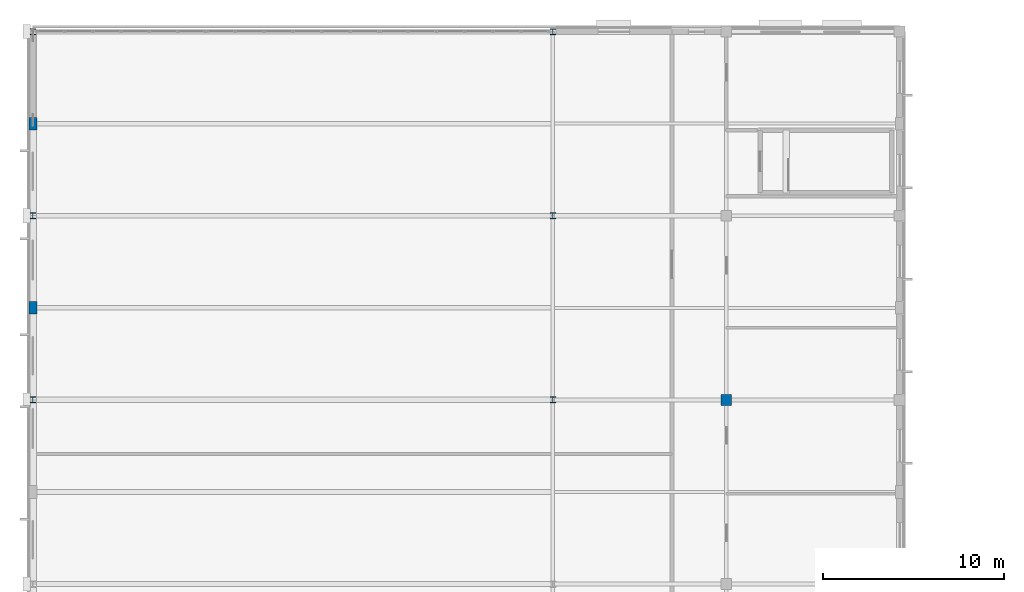
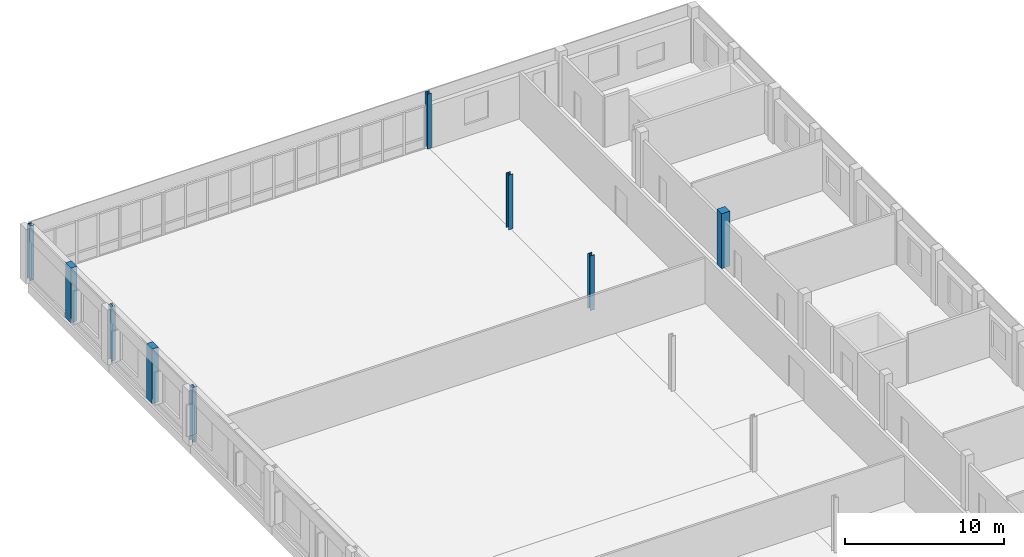
# One storey, part 8 of 185: 9 columns.
"""IFC4 building model written with IfcOpenShell, lengths in metres."""

from ifc_helpers import new_model, si_unit, direction, frame, origin, origin_2d, place, context, subcontext, project, spatial, rectangle, i_section, extrude, material, material_profile, profile_set, type_object, element, save


model = new_model("IFC4")

# Units and contexts
model_context = context("Model", 3, precision=1e-05, world=origin(), true_north=direction((0.0, 1.0)))
body_context = subcontext(model_context, "Body", "Model", "MODEL_VIEW")
ifc_project = project(units=[si_unit("LENGTHUNIT", "METRE"), si_unit("AREAUNIT", "SQUARE_METRE"), si_unit("VOLUMEUNIT", "CUBIC_METRE"), si_unit("PLANEANGLEUNIT", "RADIAN"), si_unit("MASSUNIT", "GRAM", prefix="KILO")], contexts=[model_context])

# Site, building, storey
site_placement = place(None, origin())
site = spatial("IfcSite", under=ifc_project, at=site_placement, CompositionType="ELEMENT")
building_placement = place(site_placement, origin())
building = spatial("IfcBuilding", under=site, at=building_placement, Name="Vondelvale Polytechnic", CompositionType="ELEMENT")
storey_placement = place(building_placement, frame((0.0, 0.0, 9.60009765625)))
storey = spatial("IfcBuildingStorey", under=building, at=storey_placement, Name="L02", CompositionType="ELEMENT", Elevation=9.60009765625)

# Columns
ifc_material_1 = material(Name="Concrete N50 (f'c = 50 MPa)", Category="concrete")
ifc_material_profile_1 = material_profile(ifc_material_1, rectangle(XDim=0.60009765625, YDim=0.60009765625, at=origin_2d()), Name="RC-COL-600x600")
ifc_profile_set_1 = profile_set([ifc_material_profile_1], Name="Concrete N50 (f'c = 50 MPa)")
column_type_1 = type_object("IfcColumnType", Name="COL-RC600", PredefinedType="COLUMN", material=ifc_profile_set_1)
column_placement = place(storey_placement, frame((38.39990234375, 102.0, 0.0), z_axis=(0.0, 0.0, 1.0), x_axis=(1.0, 0.0, 0.0)))
element("IfcColumn", 1, at=column_placement, inside=storey, type_object=column_type_1, Name="L02 workshop column (38.4,102.0)", PredefinedType="COLUMN", context=body_context, shape_type="SweptSolid", body=[
    extrude(rectangle(XDim=0.60009765625, YDim=0.60009765625, at=origin_2d()), origin(), (0.0, 0.0, 1.0), 4.199951171875),
])
ifc_material_2 = material(Name="Steel 300PLUS (fy = 300 MPa)", Category="steel")
ifc_material_profile_2 = material_profile(ifc_material_2, i_section(OverallWidth=0.31103515625, OverallDepth=0.326904296875, WebThickness=0.015625, FlangeThickness=0.02490234375, FilletRadius=0.0166015625, at=origin_2d()), Name="310UC158")
ifc_profile_set_2 = profile_set([ifc_material_profile_2], Name="Steel 300PLUS (fy = 300 MPa)")
column_type_2 = type_object("IfcColumnType", Name="COL-UC310H", PredefinedType="COLUMN", material=ifc_profile_set_2)
for number, where, z_axis, x_axis, name in (
    (2, (0.0, 102.0, 0.0), (0.0, 0.0, 1.0), (1.0, 0.0, 0.0), "L02 workshop column (0.0,102.0)"),
    (3, (28.800048828125, 102.0, 0.0), (0.0, 0.0, 1.0), (1.0, 0.0, 0.0), "L02 workshop column (28.8,102.0)"),
    (4, (0.0, 112.199951171875, 0.0), (0.0, 0.0, 1.0), (1.0, 0.0, 0.0), "L02 workshop column (0.0,112.2)"),
    (5, (28.800048828125, 112.199951171875, 0.0), (0.0, 0.0, 1.0), (1.0, 0.0, 0.0), "L02 workshop column (28.8,112.2)"),
    (6, (0.0, 122.39990234375, 0.0), (0.0, 0.0, 1.0), (1.0, 0.0, 0.0), "L02 workshop column (0.0,122.4)"),
    (7, (28.800048828125, 122.39990234375, 0.0), (0.0, 0.0, 1.0), (1.0, 0.0, 0.0), "L02 workshop column (28.8,122.4)"),
):
    element("IfcColumn", number, at=place(storey_placement, frame(where, z_axis=z_axis, x_axis=x_axis)), inside=storey, type_object=column_type_2, Name=name, PredefinedType="COLUMN", context=body_context, shape_type="SweptSolid", body=[
        extrude(i_section(OverallWidth=0.31103515625, OverallDepth=0.326904296875, WebThickness=0.015625, FlangeThickness=0.02490234375, FilletRadius=0.0166015625, at=origin_2d()), origin(), (0.0, 0.0, 1.0), 4.199951171875),
    ])
ifc_material_profile_3 = material_profile(ifc_material_1, rectangle(XDim=0.449951171875, YDim=0.699951171875, at=origin_2d()), Name="RC-PIL-700x450")
ifc_profile_set_3 = profile_set([ifc_material_profile_3], Name="Concrete N50 (f'c = 50 MPa)")
column_type_3 = type_object("IfcColumnType", Name="PIL-RC700x450", PredefinedType="PILASTER", material=ifc_profile_set_3)
for number, where, z_axis, x_axis, name in (
    (8, (0.0, 107.10009765625, 0.0), (0.0, 0.0, 1.0), (1.0, 0.0, 0.0), "L02 West workshop brick pilaster 6"),
    (9, (0.0, 117.300048828125, 0.0), (0.0, 0.0, 1.0), (1.0, 0.0, 0.0), "L02 West workshop brick pilaster 7"),
):
    element("IfcColumn", number, at=place(storey_placement, frame(where, z_axis=z_axis, x_axis=x_axis)), inside=storey, type_object=column_type_3, Name=name, PredefinedType="PILASTER", context=body_context, shape_type="SweptSolid", body=[
        extrude(rectangle(XDim=0.449951171875, YDim=0.699951171875, at=origin_2d()), origin(), (0.0, 0.0, 1.0), 4.199951171875),
    ])

save(model, "model.ifc")
